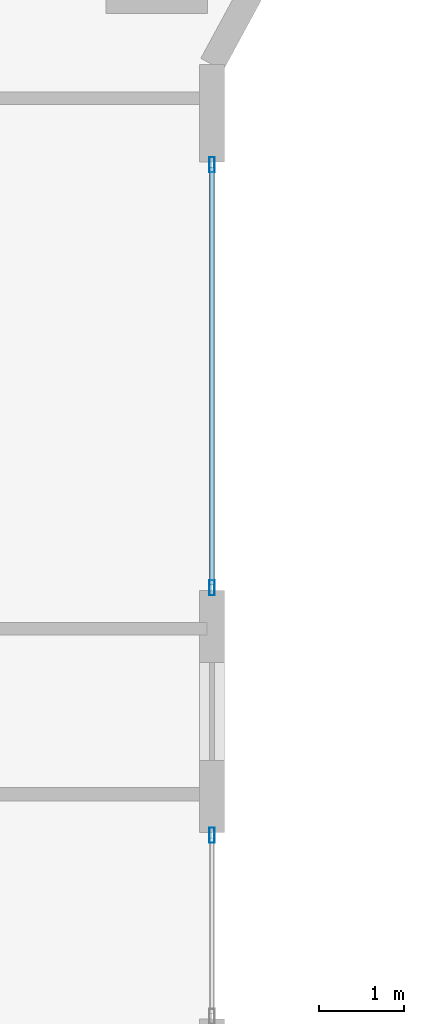
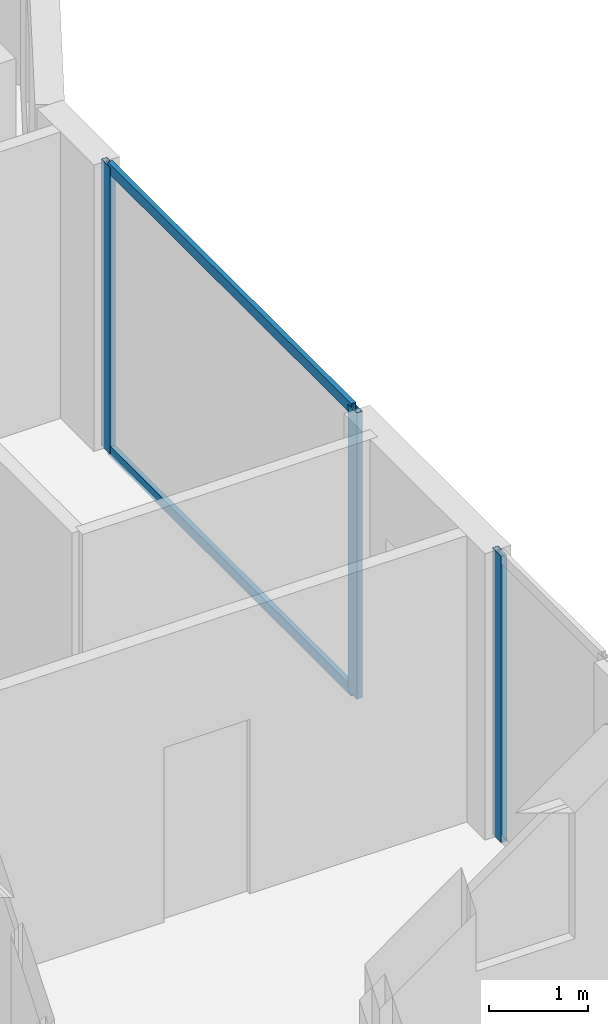
# One storey, part 12 of 32: 5 members, 2 elements without a shape of their own.
"""IFC4 building model written with IfcOpenShell, lengths in metres."""

from ifc_helpers import new_model, si_unit, direction, frame, origin, origin_2d, place, context, subcontext, project, spatial, hollow_rectangle, extrude, material, layer, layer_set, material_profile, profile_set, type_object, element, aggregate, save


model = new_model("IFC4")

# Units and contexts
model_context = context("Model", 3, precision=1e-05, world=origin(), true_north=direction((0.0, 1.0)))
body_context = subcontext(model_context, "Body", "Model", "MODEL_VIEW")
ifc_project = project(units=[si_unit("LENGTHUNIT", "METRE"), si_unit("AREAUNIT", "SQUARE_METRE"), si_unit("VOLUMEUNIT", "CUBIC_METRE"), si_unit("PLANEANGLEUNIT", "RADIAN"), si_unit("MASSUNIT", "GRAM", prefix="KILO")], contexts=[model_context])

# Site, building, storey
site_placement = place(None, origin())
site = spatial("IfcSite", under=ifc_project, at=site_placement, CompositionType="ELEMENT")
building_placement = place(site_placement, origin())
building = spatial("IfcBuilding", under=site, at=building_placement, Name="Zuhayl Quay Hotel", CompositionType="ELEMENT")
storey_placement = place(building_placement, frame((0.0, 0.0, 184.89990234375)))
storey = spatial("IfcBuildingStorey", under=building, at=storey_placement, Name="L46", CompositionType="ELEMENT", Elevation=184.89990234375)

# Curtain wall, members
ifc_material_1 = material(Name="Anodised Aluminium 6063-T6", Category="aluminium")
ifc_layer = layer(ifc_material_1, 0.175048828125, Name="Anodised Aluminium 6063-T6", Category="aluminium")
ifc_layer_set = layer_set([ifc_layer], Name="Anodised Aluminium 6063-T6")
curtain_wall_type = type_object("IfcCurtainWallType", Name="CW_SYS_Z3", PredefinedType="USERDEFINED", material=ifc_layer_set)
curtain_wall_1_placement = place(storey_placement, origin())
curtain_wall_1 = element("IfcCurtainWall", 1, at=curtain_wall_1_placement, inside=storey, type_object=curtain_wall_type, Name="L46 Curtain Wall ENV_L46_E14_CW1", ObjectType="UNITISED CURTAIN WALL", PredefinedType="USERDEFINED")
ifc_material_2 = material(Name="Black-anodised aluminium 6063-T6", Category="aluminium")
ifc_material_profile_1 = material_profile(ifc_material_2, hollow_rectangle(XDim=0.06494140625, YDim=0.179931640625, WallThickness=0.00341796875, at=origin_2d()), Name="ALU180X65")
ifc_profile_set_1 = profile_set([ifc_material_profile_1], Name="Black-anodised aluminium 6063-T6")
member_type_1 = type_object("IfcMemberType", Name="MB_CW_MUL_180", PredefinedType="MULLION", material=ifc_profile_set_1)
member_1_placement = place(storey_placement, frame((22.10009765625, 7.017578125, 0.0), z_axis=(0.0, 0.0, 1.0), x_axis=(1.0, 0.0, 0.0)))
member_1 = element("IfcMember", 2, at=member_1_placement, type_object=member_type_1, Name="CW-Z3 mullion 1", PredefinedType="MULLION", context=body_context, shape_type="SweptSolid", body=[
    extrude(hollow_rectangle(XDim=0.06494140625, YDim=0.179931640625, WallThickness=0.00341796875, at=origin_2d()), origin(), (0.0, 0.0, 1.0), 3.530029296875),
])
member_2_placement = place(storey_placement, frame((22.10009765625, 2.032470703125, 0.0), z_axis=(0.0, 0.0, 1.0), x_axis=(1.0, 0.0, 0.0)))
member_2 = element("IfcMember", 3, at=member_2_placement, type_object=member_type_1, Name="CW-Z3 mullion 2", PredefinedType="MULLION", context=body_context, shape_type="SweptSolid", body=[
    extrude(hollow_rectangle(XDim=0.06494140625, YDim=0.179931640625, WallThickness=0.00341796875, at=origin_2d()), origin(), (0.0, 0.0, 1.0), 3.530029296875),
])

# Curtain wall, member
curtain_wall_2_placement = place(storey_placement, origin())
curtain_wall_2 = element("IfcCurtainWall", 4, at=curtain_wall_2_placement, inside=storey, type_object=curtain_wall_type, Name="L46 Curtain Wall ENV_L46_E14_CW2", ObjectType="UNITISED CURTAIN WALL", PredefinedType="USERDEFINED")
member_3_placement = place(storey_placement, frame((22.10009765625, -0.882568359375, 0.0), z_axis=(0.0, 0.0, 1.0), x_axis=(1.0, 0.0, 0.0)))
member_3 = element("IfcMember", 5, at=member_3_placement, type_object=member_type_1, Name="CW-Z3 mullion 1", PredefinedType="MULLION", context=body_context, shape_type="SweptSolid", body=[
    extrude(hollow_rectangle(XDim=0.06494140625, YDim=0.179931640625, WallThickness=0.00341796875, at=origin_2d()), origin(), (0.0, 0.0, 1.0), 3.530029296875),
])
aggregate(curtain_wall_2, [member_3])

# Member
ifc_material_profile_2 = material_profile(ifc_material_2, hollow_rectangle(XDim=0.054931640625, YDim=0.1298828125, WallThickness=0.0029296875, at=origin_2d()), Name="ALU130X55")
ifc_profile_set_2 = profile_set([ifc_material_profile_2], Name="Black-anodised aluminium 6063-T6")
member_type_2 = type_object("IfcMemberType", Name="MB_CW_TRN_130", PredefinedType="USERDEFINED", material=ifc_profile_set_2)
member_4_placement = place(storey_placement, frame((22.10009765625, 6.985107421875, 0.027587890625), z_axis=(0.0, -1.0, 0.0), x_axis=(1.0, 0.0, 0.0)))
member_4 = element("IfcMember", 6, at=member_4_placement, type_object=member_type_2, Name="CW-Z3 transom 1.1", ObjectType="TRANSOM", PredefinedType="USERDEFINED", context=body_context, shape_type="SweptSolid", body=[
    extrude(hollow_rectangle(XDim=0.054931640625, YDim=0.1298828125, WallThickness=0.0029296875, at=origin_2d()), origin(), (0.0, 0.0, 1.0), 4.920166015625),
])

member_5_placement = place(storey_placement, frame((22.10009765625, 6.985107421875, 3.502685546875), z_axis=(0.0, -1.0, 0.0), x_axis=(1.0, 0.0, 0.0)))
member_5 = element("IfcMember", 7, at=member_5_placement, type_object=member_type_2, Name="CW-Z3 transom 1.2", ObjectType="TRANSOM", PredefinedType="USERDEFINED", context=body_context, shape_type="SweptSolid", body=[
    extrude(hollow_rectangle(XDim=0.054931640625, YDim=0.1298828125, WallThickness=0.0029296875, at=origin_2d()), origin(), (0.0, 0.0, 1.0), 4.920166015625),
])

aggregate(curtain_wall_1, [member_1, member_2, member_4, member_5])

save(model, "model.ifc")
